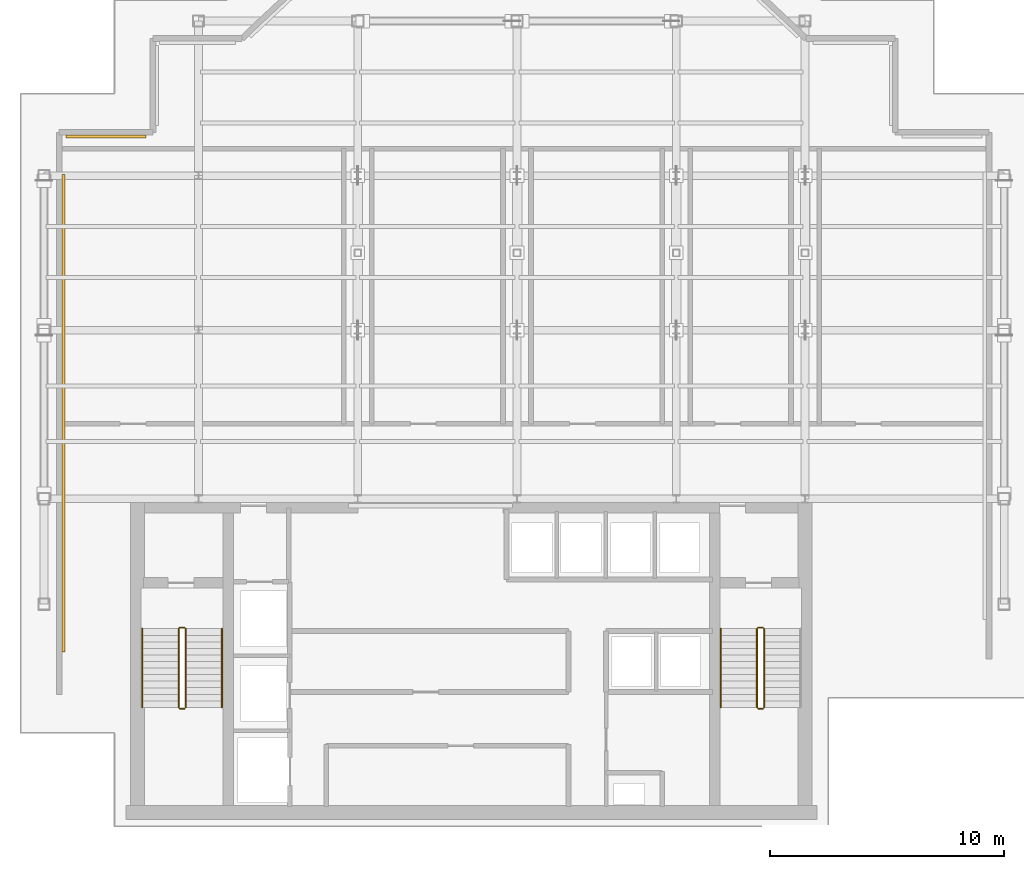
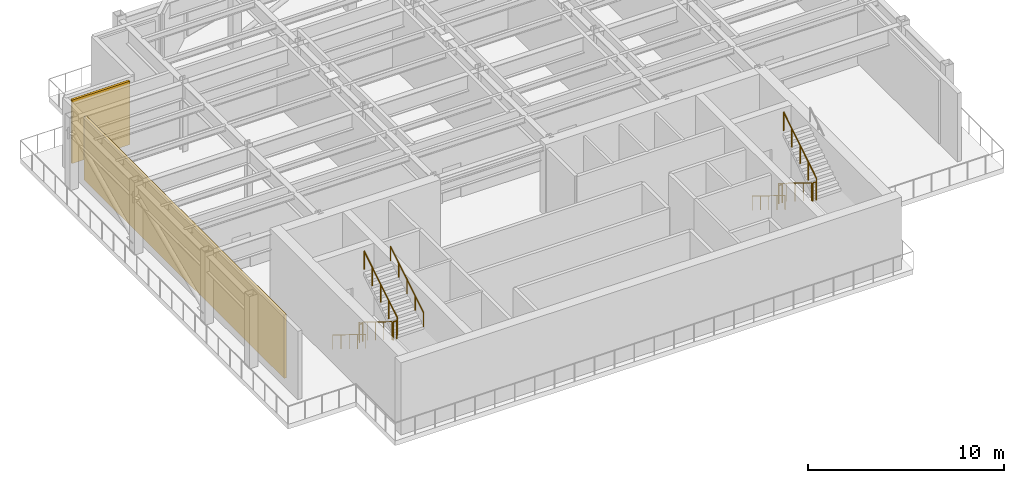
# One storey, part 6 of 7: 11 railings, 2 shading devices.
"""IFC4 building model written with IfcOpenShell, lengths in metres."""

from ifc_helpers import new_model, si_unit, derived_unit, direction, frame, origin, origin_2d, place, context, subcontext, project, spatial, rectangle, circle, extrude, source, transform, mapped, material, type_object, element, save


model = new_model("IFC4")

# Units and contexts
model_context = context("Model", 3, precision=1e-05, world=origin(), true_north=direction((0.0, 1.0)))
body_context = subcontext(model_context, "Body", "Model", "MODEL_VIEW")
ifc_project = project(units=[si_unit("LENGTHUNIT", "METRE"), si_unit("AREAUNIT", "SQUARE_METRE"), si_unit("VOLUMEUNIT", "CUBIC_METRE"), si_unit("PLANEANGLEUNIT", "RADIAN"), si_unit("MASSUNIT", "GRAM", prefix="KILO"), derived_unit("THERMALTRANSMITTANCEUNIT", [(si_unit("POWERUNIT", "WATT"), 1), (si_unit("LENGTHUNIT", "METRE"), -2), (si_unit("THERMODYNAMICTEMPERATUREUNIT", "KELVIN"), -1)])], contexts=[model_context])

# Site, building, storey
site_placement = place(None, origin())
site = spatial("IfcSite", under=ifc_project, at=site_placement, CompositionType="ELEMENT")
building_placement = place(site_placement, origin())
building = spatial("IfcBuilding", under=site, at=building_placement, Name="Skarnbrae Concourse Arena and Tower", CompositionType="ELEMENT")
storey_placement = place(building_placement, frame((0.0, 0.0, 236.050048828125)))
storey = spatial("IfcBuildingStorey", under=building, at=storey_placement, Name="L61", CompositionType="ELEMENT", Elevation=236.050048828125)

# Railings
ifc_material_1 = material(Name="Steel CSA G40.21 350W", Category="steel")
railing_type_1 = type_object("IfcRailingType", Name="RAIL-HANDRAIL-900", PredefinedType="HANDRAIL", material=ifc_material_1)
railing_1_placement = place(storey_placement, frame((5.199951171875, 8.449951171875, 0.173095703125)))
element("IfcRailing", 1, at=railing_1_placement, inside=storey, type_object=railing_type_1, Name="L61 ST-1 stair handrail 1", PredefinedType="HANDRAIL", context=body_context, shape_type="SweptSolid", body=[
    extrude(circle(Radius=0.02392578125, at=origin_2d()), frame((0.0, 0.0, 0.8759765625), z_axis=(0.0, -0.850606129759, 0.525803396734), x_axis=(1.0, 0.0, 0.0)), (0.0, 0.0, 1.0), 3.949951171875),
    extrude(circle(Radius=0.02099609375, at=origin_2d()), origin(), (0.0, 0.0, 1.0), 0.851806640625),
    extrude(circle(Radius=0.02099609375, at=origin_2d()), frame((0.0, -0.83984375, 0.519287109375)), (0.0, 0.0, 1.0), 0.851806640625),
    extrude(circle(Radius=0.02099609375, at=origin_2d()), frame((0.0, -1.679931640625, 1.03857421875)), (0.0, 0.0, 1.0), 0.851806640625),
    extrude(circle(Radius=0.02099609375, at=origin_2d()), frame((0.0, -2.52001953125, 1.5576171875)), (0.0, 0.0, 1.0), 0.851806640625),
    extrude(circle(Radius=0.02099609375, at=origin_2d()), frame((0.0, -3.35986328125, 2.076904296875)), (0.0, 0.0, 1.0), 0.851806640625),
])
railing_2_placement = place(storey_placement, frame((8.60009765625, 5.090087890625, 2.423095703125)))
element("IfcRailing", 2, at=railing_2_placement, inside=storey, type_object=railing_type_1, Name="L61 ST-1 stair handrail 2", PredefinedType="HANDRAIL", context=body_context, shape_type="SweptSolid", body=[
    extrude(circle(Radius=0.02392578125, at=origin_2d()), frame((0.0, 0.0, 0.8759765625), z_axis=(0.0, 0.850606129759, 0.525803396734), x_axis=(-1.0, 0.0, 0.0)), (0.0, 0.0, 1.0), 3.949951171875),
    extrude(circle(Radius=0.02099609375, at=origin_2d()), origin(), (0.0, 0.0, 1.0), 0.851806640625),
    extrude(circle(Radius=0.02099609375, at=origin_2d()), frame((0.0, 0.83984375, 0.519287109375)), (0.0, 0.0, 1.0), 0.851806640625),
    extrude(circle(Radius=0.02099609375, at=origin_2d()), frame((0.0, 1.679931640625, 1.03857421875)), (0.0, 0.0, 1.0), 0.851806640625),
    extrude(circle(Radius=0.02099609375, at=origin_2d()), frame((0.0, 2.52001953125, 1.5576171875)), (0.0, 0.0, 1.0), 0.851806640625),
    extrude(circle(Radius=0.02099609375, at=origin_2d()), frame((0.0, 3.35986328125, 2.076904296875)), (0.0, 0.0, 1.0), 0.851806640625),
])
railing_3_placement = place(storey_placement, frame((29.89990234375, 8.449951171875, 0.173095703125)))
element("IfcRailing", 3, at=railing_3_placement, inside=storey, type_object=railing_type_1, Name="L61 ST-2 stair handrail 1", PredefinedType="HANDRAIL", context=body_context, shape_type="SweptSolid", body=[
    extrude(circle(Radius=0.02392578125, at=origin_2d()), frame((0.0, 0.0, 0.8759765625), z_axis=(0.0, -0.850606129759, 0.525803396734), x_axis=(1.0, 0.0, 0.0)), (0.0, 0.0, 1.0), 3.949951171875),
    extrude(circle(Radius=0.02099609375, at=origin_2d()), origin(), (0.0, 0.0, 1.0), 0.851806640625),
    extrude(circle(Radius=0.02099609375, at=origin_2d()), frame((0.0, -0.83984375, 0.519287109375)), (0.0, 0.0, 1.0), 0.851806640625),
    extrude(circle(Radius=0.02099609375, at=origin_2d()), frame((0.0, -1.679931640625, 1.03857421875)), (0.0, 0.0, 1.0), 0.851806640625),
    extrude(circle(Radius=0.02099609375, at=origin_2d()), frame((0.0, -2.52001953125, 1.5576171875)), (0.0, 0.0, 1.0), 0.851806640625),
    extrude(circle(Radius=0.02099609375, at=origin_2d()), frame((0.0, -3.35986328125, 2.076904296875)), (0.0, 0.0, 1.0), 0.851806640625),
])
railing_type_2 = type_object("IfcRailingType", Name="RAIL-STAIR-GUARD-1150", PredefinedType="GUARDRAIL", material=ifc_material_1)
railing_4_placement = place(storey_placement, frame((6.75, 8.449951171875, 0.173095703125)))
element("IfcRailing", 4, at=railing_4_placement, inside=storey, type_object=railing_type_2, Name="L61 ST-1 stair guard 1", PredefinedType="GUARDRAIL", context=body_context, shape_type="SweptSolid", body=[
    extrude(circle(Radius=0.02392578125, at=origin_2d()), frame((0.0, 0.0, 1.1259765625), z_axis=(0.0, -0.850606129759, 0.525803396734), x_axis=(1.0, 0.0, 0.0)), (0.0, 0.0, 1.0), 3.949951171875),
    extrude(circle(Radius=0.02099609375, at=origin_2d()), origin(), (0.0, 0.0, 1.0), 1.101806640625),
    extrude(circle(Radius=0.02099609375, at=origin_2d()), frame((0.0, -0.83984375, 0.519287109375)), (0.0, 0.0, 1.0), 1.101806640625),
    extrude(circle(Radius=0.02099609375, at=origin_2d()), frame((0.0, -1.679931640625, 1.03857421875)), (0.0, 0.0, 1.0), 1.101806640625),
    extrude(circle(Radius=0.02099609375, at=origin_2d()), frame((0.0, -2.52001953125, 1.5576171875)), (0.0, 0.0, 1.0), 1.101806640625),
    extrude(circle(Radius=0.02099609375, at=origin_2d()), frame((0.0, -3.35986328125, 2.076904296875)), (0.0, 0.0, 1.0), 1.101806640625),
])
railing_5_placement = place(storey_placement, frame((6.800048828125, 5.0400390625, 2.25)))
element("IfcRailing", 5, at=railing_5_placement, inside=storey, type_object=railing_type_2, Name="L61 ST-1 stair guard 2", PredefinedType="GUARDRAIL", context=body_context, shape_type="SweptSolid", body=[
    extrude(circle(Radius=0.02392578125, at=origin_2d()), frame((0.0, 0.0, 1.1259765625), z_axis=(1.0, 0.0, 0.0), x_axis=(0.0, 1.0, 0.0)), (0.0, 0.0, 1.0), 0.199951171875),
    extrude(circle(Radius=0.02099609375, at=origin_2d()), origin(), (0.0, 0.0, 1.0), 1.101806640625),
    extrude(circle(Radius=0.02099609375, at=origin_2d()), frame((0.199951171875, 0.0, 0.0)), (0.0, 0.0, 1.0), 1.101806640625),
])
railing_6_placement = place(storey_placement, frame((7.050048828125, 5.090087890625, 2.423095703125)))
element("IfcRailing", 6, at=railing_6_placement, inside=storey, type_object=railing_type_2, Name="L61 ST-1 stair guard 3", PredefinedType="GUARDRAIL", context=body_context, shape_type="SweptSolid", body=[
    extrude(circle(Radius=0.02392578125, at=origin_2d()), frame((0.0, 0.0, 1.1259765625), z_axis=(0.0, 0.850606129759, 0.525803396734), x_axis=(-1.0, 0.0, 0.0)), (0.0, 0.0, 1.0), 3.949951171875),
    extrude(circle(Radius=0.02099609375, at=origin_2d()), origin(), (0.0, 0.0, 1.0), 1.101806640625),
    extrude(circle(Radius=0.02099609375, at=origin_2d()), frame((0.0, 0.83984375, 0.519287109375)), (0.0, 0.0, 1.0), 1.101806640625),
    extrude(circle(Radius=0.02099609375, at=origin_2d()), frame((0.0, 1.679931640625, 1.03857421875)), (0.0, 0.0, 1.0), 1.101806640625),
    extrude(circle(Radius=0.02099609375, at=origin_2d()), frame((0.0, 2.52001953125, 1.5576171875)), (0.0, 0.0, 1.0), 1.101806640625),
    extrude(circle(Radius=0.02099609375, at=origin_2d()), frame((0.0, 3.35986328125, 2.076904296875)), (0.0, 0.0, 1.0), 1.101806640625),
])
railing_7_placement = place(storey_placement, frame((6.800048828125, 8.5, 0.0)))
element("IfcRailing", 7, at=railing_7_placement, inside=storey, type_object=railing_type_2, Name="L61 ST-1 stair guard 4", PredefinedType="GUARDRAIL", context=body_context, shape_type="SweptSolid", body=[
    extrude(circle(Radius=0.02392578125, at=origin_2d()), frame((0.0, 0.0, 1.1259765625), z_axis=(1.0, 0.0, 0.0), x_axis=(0.0, 1.0, 0.0)), (0.0, 0.0, 1.0), 0.199951171875),
    extrude(circle(Radius=0.02099609375, at=origin_2d()), origin(), (0.0, 0.0, 1.0), 1.101806640625),
    extrude(circle(Radius=0.02099609375, at=origin_2d()), frame((0.199951171875, 0.0, 0.0)), (0.0, 0.0, 1.0), 1.101806640625),
])
railing_8_placement = place(storey_placement, frame((31.449951171875, 8.449951171875, 0.173095703125)))
element("IfcRailing", 8, at=railing_8_placement, inside=storey, type_object=railing_type_2, Name="L61 ST-2 stair guard 1", PredefinedType="GUARDRAIL", context=body_context, shape_type="SweptSolid", body=[
    extrude(circle(Radius=0.02392578125, at=origin_2d()), frame((0.0, 0.0, 1.1259765625), z_axis=(0.0, -0.850606129759, 0.525803396734), x_axis=(1.0, 0.0, 0.0)), (0.0, 0.0, 1.0), 3.949951171875),
    extrude(circle(Radius=0.02099609375, at=origin_2d()), origin(), (0.0, 0.0, 1.0), 1.101806640625),
    extrude(circle(Radius=0.02099609375, at=origin_2d()), frame((0.0, -0.83984375, 0.519287109375)), (0.0, 0.0, 1.0), 1.101806640625),
    extrude(circle(Radius=0.02099609375, at=origin_2d()), frame((0.0, -1.679931640625, 1.03857421875)), (0.0, 0.0, 1.0), 1.101806640625),
    extrude(circle(Radius=0.02099609375, at=origin_2d()), frame((0.0, -2.52001953125, 1.5576171875)), (0.0, 0.0, 1.0), 1.101806640625),
    extrude(circle(Radius=0.02099609375, at=origin_2d()), frame((0.0, -3.35986328125, 2.076904296875)), (0.0, 0.0, 1.0), 1.101806640625),
])
railing_9_placement = place(storey_placement, frame((31.5, 5.0400390625, 2.25)))
element("IfcRailing", 9, at=railing_9_placement, inside=storey, type_object=railing_type_2, Name="L61 ST-2 stair guard 2", PredefinedType="GUARDRAIL", context=body_context, shape_type="SweptSolid", body=[
    extrude(circle(Radius=0.02392578125, at=origin_2d()), frame((0.0, 0.0, 1.1259765625), z_axis=(1.0, 0.0, 0.0), x_axis=(0.0, 1.0, 0.0)), (0.0, 0.0, 1.0), 0.199951171875),
    extrude(circle(Radius=0.02099609375, at=origin_2d()), origin(), (0.0, 0.0, 1.0), 1.101806640625),
    extrude(circle(Radius=0.02099609375, at=origin_2d()), frame((0.199951171875, 0.0, 0.0)), (0.0, 0.0, 1.0), 1.101806640625),
])
railing_10_placement = place(storey_placement, frame((31.75, 5.090087890625, 2.423095703125)))
element("IfcRailing", 10, at=railing_10_placement, inside=storey, type_object=railing_type_2, Name="L61 ST-2 stair guard 3", PredefinedType="GUARDRAIL", context=body_context, shape_type="SweptSolid", body=[
    extrude(circle(Radius=0.02392578125, at=origin_2d()), frame((0.0, 0.0, 1.1259765625), z_axis=(0.0, 0.850606129759, 0.525803396734), x_axis=(-1.0, 0.0, 0.0)), (0.0, 0.0, 1.0), 3.949951171875),
    extrude(circle(Radius=0.02099609375, at=origin_2d()), origin(), (0.0, 0.0, 1.0), 1.101806640625),
    extrude(circle(Radius=0.02099609375, at=origin_2d()), frame((0.0, 0.83984375, 0.519287109375)), (0.0, 0.0, 1.0), 1.101806640625),
    extrude(circle(Radius=0.02099609375, at=origin_2d()), frame((0.0, 1.679931640625, 1.03857421875)), (0.0, 0.0, 1.0), 1.101806640625),
    extrude(circle(Radius=0.02099609375, at=origin_2d()), frame((0.0, 2.52001953125, 1.5576171875)), (0.0, 0.0, 1.0), 1.101806640625),
    extrude(circle(Radius=0.02099609375, at=origin_2d()), frame((0.0, 3.35986328125, 2.076904296875)), (0.0, 0.0, 1.0), 1.101806640625),
])
railing_11_placement = place(storey_placement, frame((31.5, 8.5, 0.0)))
element("IfcRailing", 11, at=railing_11_placement, inside=storey, type_object=railing_type_2, Name="L61 ST-2 stair guard 4", PredefinedType="GUARDRAIL", context=body_context, shape_type="SweptSolid", body=[
    extrude(circle(Radius=0.02392578125, at=origin_2d()), frame((0.0, 0.0, 1.1259765625), z_axis=(1.0, 0.0, 0.0), x_axis=(0.0, 1.0, 0.0)), (0.0, 0.0, 1.0), 0.199951171875),
    extrude(circle(Radius=0.02099609375, at=origin_2d()), origin(), (0.0, 0.0, 1.0), 1.101806640625),
    extrude(circle(Radius=0.02099609375, at=origin_2d()), frame((0.199951171875, 0.0, 0.0)), (0.0, 0.0, 1.0), 1.101806640625),
])

# Shading devices
ifc_material_2 = material(Name="Bronze anodised aluminium 6063-T6", Category="aluminium")
shading_device_type = type_object("IfcShadingDeviceType", Name="SHD-BRONZE-LOUVRE-150", PredefinedType="USERDEFINED", material=ifc_material_2)
shared_shape_1 = source(origin(), body_context, "Body", "SweptSolid", [
    extrude(rectangle(XDim=20.39990234375, YDim=0.139892578125, at=origin_2d()), origin(), (0.0, 0.0, 1.0), 3.949951171875),
])
shading_device_1_placement = place(storey_placement, frame((1.830078125, 17.64990234375, 0.14990234375), z_axis=(0.0, 0.0, 1.0), x_axis=(0.0, 1.0, 0.0)))
element("IfcShadingDevice", 12, at=shading_device_1_placement, inside=storey, type_object=shading_device_type, Name="L61 Refuge band bronze weather louvre 03", ObjectType="LOUVRE", PredefinedType="USERDEFINED", context=body_context, shape_type="MappedRepresentation", body=[
    mapped(shared_shape_1, transform((0.0, 0.0, 0.0))),
])
shared_shape_2 = source(origin(), body_context, "Body", "SweptSolid", [
    extrude(rectangle(XDim=3.39990234375, YDim=0.139892578125, at=origin_2d()), origin(), (0.0, 0.0, 1.0), 3.949951171875),
])
shading_device_2_placement = place(storey_placement, frame((3.64990234375, 29.469970703125, 0.14990234375), z_axis=(0.0, 0.0, 1.0), x_axis=(1.0, 0.0, 0.0)))
element("IfcShadingDevice", 13, at=shading_device_2_placement, inside=storey, type_object=shading_device_type, Name="L61 Refuge band bronze weather louvre 04", ObjectType="LOUVRE", PredefinedType="USERDEFINED", context=body_context, shape_type="MappedRepresentation", body=[
    mapped(shared_shape_2, transform((0.0, 0.0, 0.0))),
])

save(model, "model.ifc")
